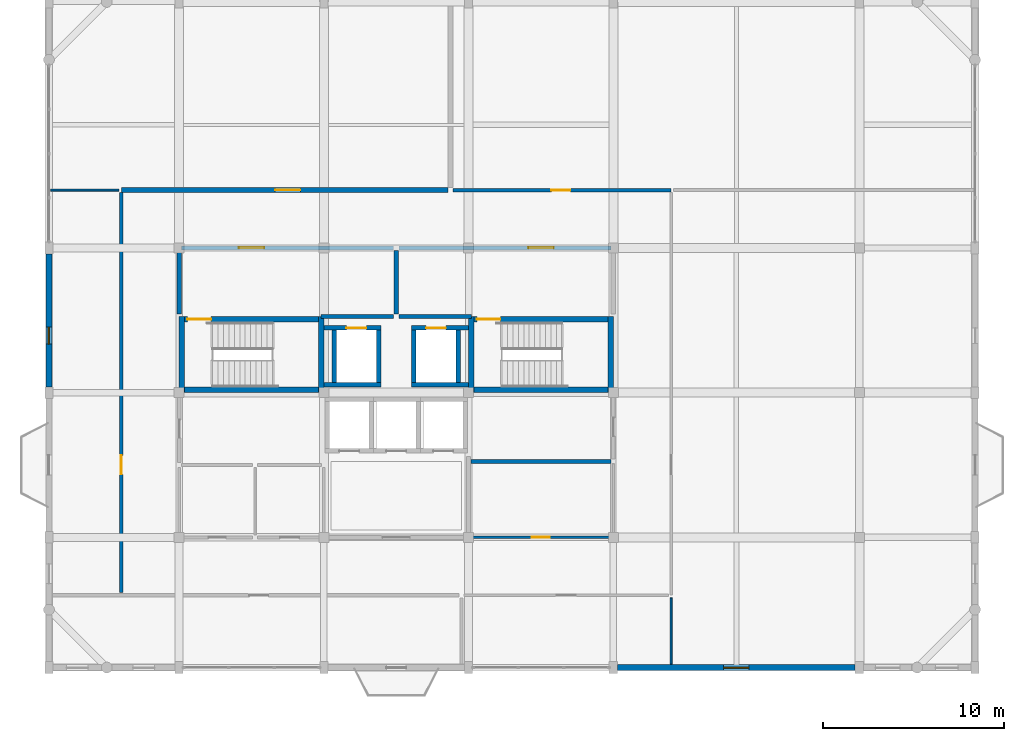
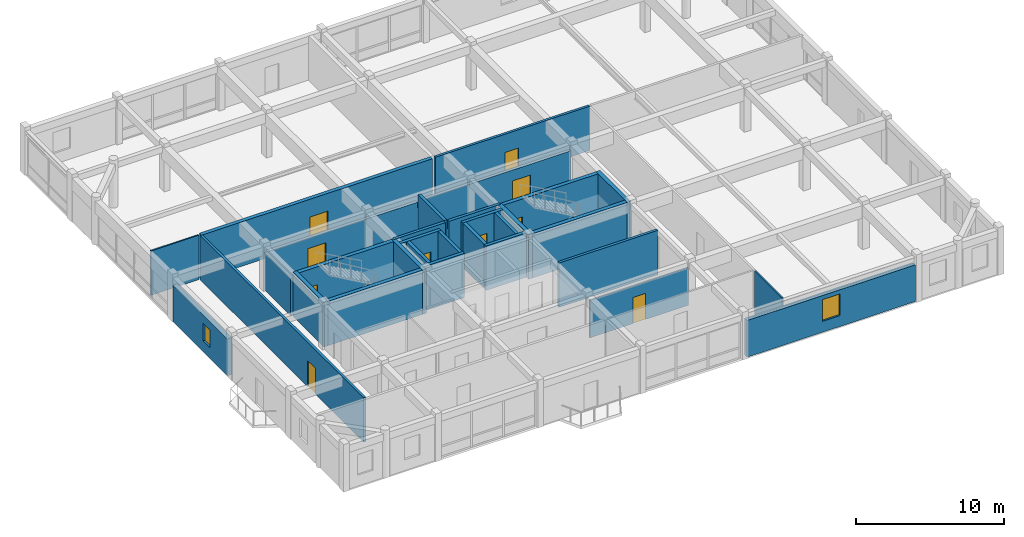
# One storey, part 10 of 13: 31 walls, 10 doors, 2 windows, 12 openings.
"""IFC4 building model written with IfcOpenShell, lengths in metres."""

from ifc_helpers import new_model, si_unit, direction, frame, frame_2d, origin, place, context, subcontext, project, spatial, rectangle, extrude, material, layer, layer_set, type_object, element, fill, save


model = new_model("IFC4")

# Units and contexts
model_context = context("Model", 3, precision=1e-05, world=origin(), true_north=direction((0.0, 1.0)))
body_context = subcontext(model_context, "Body", "Model", "MODEL_VIEW")
ifc_project = project(units=[si_unit("LENGTHUNIT", "METRE"), si_unit("AREAUNIT", "SQUARE_METRE"), si_unit("VOLUMEUNIT", "CUBIC_METRE"), si_unit("PLANEANGLEUNIT", "RADIAN"), si_unit("MASSUNIT", "GRAM", prefix="KILO")], contexts=[model_context])

# Site, building, storey
site_placement = place(None, origin())
site = spatial("IfcSite", under=ifc_project, at=site_placement, CompositionType="ELEMENT")
building_placement = place(site_placement, origin())
building = spatial("IfcBuilding", under=site, at=building_placement, Name="Vellmiral Cinema and Media Centre", CompositionType="ELEMENT")
storey_placement = place(building_placement, frame((0.0, 0.0, 58.699951171875)))
storey = spatial("IfcBuildingStorey", under=building, at=storey_placement, Name="L14", CompositionType="ELEMENT", Elevation=58.699951171875)

# Wall, opening, door
ifc_material_1 = material(Name="Calcium-Silicate Masonry Blockwork", Category="masonry")
ifc_layer_1 = layer(ifc_material_1, 0.10009765625, Name="Calcium-Silicate Masonry Blockwork", Category="masonry")
ifc_material_2 = material(Name="Mineral Wool Acoustic Insulation", Category="insulation")
ifc_layer_2 = layer(ifc_material_2, 0.090087890625, Name="Mineral Wool Acoustic Insulation", Category="insulation")
ifc_layer_3 = layer(ifc_material_1, 0.10009765625, Name="Calcium-Silicate Masonry Blockwork", Category="masonry")
ifc_layer_set_1 = layer_set([ifc_layer_1, ifc_layer_2, ifc_layer_3], Name="Calcium-Silicate Masonry Blockwork")
wall_type_1 = type_object("IfcWallType", Name="WL-AC-290", PredefinedType="SOLIDWALL", material=ifc_layer_set_1)
wall_1_placement = place(storey_placement, frame((120.800048828125, 98.39990234375, 0.0), z_axis=(0.0, 0.0, 1.0), x_axis=(1.0, 0.0, 0.0)))
wall_1 = element("IfcWall", 1, at=wall_1_placement, inside=storey, type_object=wall_type_1, Name="Executive Documentary Screening Room Wall S", PredefinedType="SOLIDWALL", context=body_context, shape_type="SweptSolid", body=[
    extrude(rectangle(XDim=18.06005859375, YDim=0.2900390625, at=frame_2d((9.030029296875, 0.0))), origin(), (0.0, 0.0, 1.0), 3.670166015625),
])
opening_1_placement = place(wall_1_placement, frame((8.5, 0.0, 0.0)))
opening_1 = element("IfcOpeningElement", 2, at=opening_1_placement, cuts=wall_1, Name="Opening D-AC4", PredefinedType="OPENING", context=body_context, shape_type="SweptSolid", body=[
    extrude(rectangle(XDim=1.39990234375, YDim=2.199951171875, at=frame_2d((0.699951171875, 1.10009765625))), frame((0.0, 0.156982421875, 0.0), z_axis=(0.0, -1.0, 0.0), x_axis=(1.0, 0.0, 0.0)), (0.0, 0.0, 1.0), 0.31396484375),
])
ifc_material_3 = material(Name="Acoustic Studio Door", Category="steel")
door_type_1 = type_object("IfcDoorType", Name="DR-AC-1400x2200", OperationType="NOTDEFINED", PredefinedType="DOOR", material=ifc_material_3)
door_1_placement = place(opening_1_placement, frame((1.39990234375, 0.0, 0.0), z_axis=(0.0, 0.0, 1.0), x_axis=(-1.0, 0.0, 0.0)))
door_1 = element("IfcDoor", 3, at=door_1_placement, inside=storey, type_object=door_type_1, Name="Executive Documentary Screening Room Door", OperationType="SINGLE_SWING_LEFT", OverallHeight=2.199951171875, OverallWidth=1.39990234375, PredefinedType="DOOR", context=body_context, shape_type="SweptSolid", body=[
    extrude(rectangle(XDim=1.39990234375, YDim=2.199951171875, at=frame_2d((0.699951171875, 1.10009765625))), frame((0.0, 0.02490234375, 0.0), z_axis=(0.0, -1.0, 0.0), x_axis=(1.0, 0.0, 0.0)), (0.0, 0.0, 1.0), 0.050048828125),
])
fill(opening_1, door_1)

# Walls
ifc_material_4 = material(Name="Concrete C40/50", Category="concrete")
ifc_layer_4 = layer(ifc_material_4, 0.2099609375, Name="Concrete C40/50")
ifc_layer_set_2 = layer_set([ifc_layer_4], Name="Concrete C40/50")
wall_type_2 = type_object("IfcWallType", Name="WL-COMP-210", PredefinedType="SOLIDWALL", material=ifc_layer_set_2)
wall_2_placement = place(storey_placement, frame((140.139892578125, 83.39990234375, 0.0), z_axis=(0.0, 0.0, 1.0), x_axis=(1.0, 0.0, 0.0)))
element("IfcWall", 4, at=wall_2_placement, inside=storey, type_object=wall_type_2, Name="Mechanical Smoke Riser Room Wall S", PredefinedType="SOLIDWALL", context=body_context, shape_type="SweptSolid", body=[
    extrude(rectangle(XDim=7.72021484375, YDim=0.2099609375, at=frame_2d((3.860107421875, 0.0))), origin(), (0.0, 0.0, 1.0), 3.670166015625),
])
ifc_material_5 = material(Name="Concrete C40/50", Category="concrete")
ifc_layer_5 = layer(ifc_material_5, 0.300048828125, Name="Concrete C40/50")
ifc_layer_set_3 = layer_set([ifc_layer_5], Name="Concrete C40/50")
wall_type_3 = type_object("IfcWallType", Name="WL-CORE-300", PredefinedType="SHEAR", material=ifc_layer_set_3)
for number, where, z_axis, x_axis, name in (
    (5, (124.14990234375, 87.199951171875, 0.0), (0.0, 0.0, 1.0), (0.0, 1.0, 0.0), "Stair Core Wall ST-T1 L14-W"),
    (6, (131.85009765625, 87.199951171875, 0.0), (0.0, 0.0, 1.0), (0.0, 1.0, 0.0), "Stair Core Wall ST-T1 L14-E"),
):
    element("IfcWall", number, at=place(storey_placement, frame(where, z_axis=z_axis, x_axis=x_axis)), inside=storey, type_object=wall_type_3, Name=name, PredefinedType="SHEAR", context=body_context, shape_type="SweptSolid", body=[
        extrude(rectangle(XDim=4.199951171875, YDim=0.300048828125, at=frame_2d((2.10009765625, 0.0))), origin(), (0.0, 0.0, 1.0), 3.670166015625),
    ])
wall_3_placement = place(storey_placement, frame((124.300048828125, 87.35009765625, 0.0), z_axis=(0.0, 0.0, 1.0), x_axis=(1.0, 0.0, 0.0)))
element("IfcWall", 7, at=wall_3_placement, inside=storey, type_object=wall_type_3, Name="Stair Core Wall ST-T1 L14-S", PredefinedType="SHEAR", context=body_context, shape_type="SweptSolid", body=[
    extrude(rectangle(XDim=7.39990234375, YDim=0.300048828125, at=frame_2d((3.699951171875, 0.0))), origin(), (0.0, 0.0, 1.0), 3.670166015625),
])

# Wall, opening, door
wall_4_placement = place(storey_placement, frame((124.300048828125, 91.25, 0.0), z_axis=(0.0, 0.0, 1.0), x_axis=(1.0, 0.0, 0.0)))
wall_4 = element("IfcWall", 8, at=wall_4_placement, inside=storey, type_object=wall_type_3, Name="Stair Core Wall ST-T1 L14-N", PredefinedType="SHEAR", context=body_context, shape_type="SweptSolid", body=[
    extrude(rectangle(XDim=7.39990234375, YDim=0.300048828125, at=frame_2d((3.699951171875, 0.0))), origin(), (0.0, 0.0, 1.0), 3.670166015625),
])
opening_2_placement = place(wall_4_placement, frame((0.159912109375, 0.0, 0.0)))
opening_2 = element("IfcOpeningElement", 9, at=opening_2_placement, cuts=wall_4, Name="Opening D-FD30A", PredefinedType="OPENING", context=body_context, shape_type="SweptSolid", body=[
    extrude(rectangle(XDim=1.300048828125, YDim=2.179931640625, at=frame_2d((0.64990234375, 1.08984375))), frame((0.0, 0.162109375, 0.0), z_axis=(0.0, -1.0, 0.0), x_axis=(1.0, 0.0, 0.0)), (0.0, 0.0, 1.0), 0.323974609375),
])
ifc_material_6 = material(Name="Steel Stair Fire Door", Category="steel")
door_type_2 = type_object("IfcDoorType", Name="DR-FD30-1300x2180", OperationType="NOTDEFINED", PredefinedType="DOOR", material=ifc_material_6)
door_2_placement = place(opening_2_placement, frame((1.300048828125, 0.0, 0.0), z_axis=(0.0, 0.0, 1.0), x_axis=(-1.0, 0.0, 0.0)))
door_2 = element("IfcDoor", 10, at=door_2_placement, inside=storey, type_object=door_type_2, Name="Protected Stair Door ST-T1 L14", OperationType="SINGLE_SWING_RIGHT", OverallHeight=2.179931640625, OverallWidth=1.300048828125, PredefinedType="DOOR", context=body_context, shape_type="SweptSolid", body=[
    extrude(rectangle(XDim=1.300048828125, YDim=2.179931640625, at=frame_2d((0.64990234375, 1.08984375))), frame((0.0, 0.02490234375, 0.0), z_axis=(0.0, -1.0, 0.0), x_axis=(1.0, 0.0, 0.0)), (0.0, 0.0, 1.0), 0.050048828125),
])
fill(opening_2, door_2)

# Walls
for number, where, z_axis, x_axis, name in (
    (11, (140.14990234375, 87.199951171875, 0.0), (0.0, 0.0, 1.0), (0.0, 1.0, 0.0), "Stair Core Wall ST-T2 L14-W"),
    (12, (147.85009765625, 87.199951171875, 0.0), (0.0, 0.0, 1.0), (0.0, 1.0, 0.0), "Stair Core Wall ST-T2 L14-E"),
):
    element("IfcWall", number, at=place(storey_placement, frame(where, z_axis=z_axis, x_axis=x_axis)), inside=storey, type_object=wall_type_3, Name=name, PredefinedType="SHEAR", context=body_context, shape_type="SweptSolid", body=[
        extrude(rectangle(XDim=4.199951171875, YDim=0.300048828125, at=frame_2d((2.10009765625, 0.0))), origin(), (0.0, 0.0, 1.0), 3.670166015625),
    ])
wall_5_placement = place(storey_placement, frame((140.300048828125, 87.35009765625, 0.0), z_axis=(0.0, 0.0, 1.0), x_axis=(1.0, 0.0, 0.0)))
element("IfcWall", 13, at=wall_5_placement, inside=storey, type_object=wall_type_3, Name="Stair Core Wall ST-T2 L14-S", PredefinedType="SHEAR", context=body_context, shape_type="SweptSolid", body=[
    extrude(rectangle(XDim=7.39990234375, YDim=0.300048828125, at=frame_2d((3.699951171875, 0.0))), origin(), (0.0, 0.0, 1.0), 3.670166015625),
])

# Wall, opening, door
wall_6_placement = place(storey_placement, frame((140.300048828125, 91.25, 0.0), z_axis=(0.0, 0.0, 1.0), x_axis=(1.0, 0.0, 0.0)))
wall_6 = element("IfcWall", 14, at=wall_6_placement, inside=storey, type_object=wall_type_3, Name="Stair Core Wall ST-T2 L14-N", PredefinedType="SHEAR", context=body_context, shape_type="SweptSolid", body=[
    extrude(rectangle(XDim=7.39990234375, YDim=0.300048828125, at=frame_2d((3.699951171875, 0.0))), origin(), (0.0, 0.0, 1.0), 3.670166015625),
])
opening_3_placement = place(wall_6_placement, frame((0.159912109375, 0.0, 0.0)))
opening_3 = element("IfcOpeningElement", 15, at=opening_3_placement, cuts=wall_6, Name="Opening D-FD30A", PredefinedType="OPENING", context=body_context, shape_type="SweptSolid", body=[
    extrude(rectangle(XDim=1.300048828125, YDim=2.179931640625, at=frame_2d((0.64990234375, 1.08984375))), frame((0.0, 0.162109375, 0.0), z_axis=(0.0, -1.0, 0.0), x_axis=(1.0, 0.0, 0.0)), (0.0, 0.0, 1.0), 0.323974609375),
])
door_3_placement = place(opening_3_placement, frame((1.300048828125, 0.0, 0.0), z_axis=(0.0, 0.0, 1.0), x_axis=(-1.0, 0.0, 0.0)))
door_3 = element("IfcDoor", 16, at=door_3_placement, inside=storey, type_object=door_type_2, Name="Protected Stair Door ST-T2 L14", OperationType="SINGLE_SWING_RIGHT", OverallHeight=2.179931640625, OverallWidth=1.300048828125, PredefinedType="DOOR", context=body_context, shape_type="SweptSolid", body=[
    extrude(rectangle(XDim=1.300048828125, YDim=2.179931640625, at=frame_2d((0.64990234375, 1.08984375))), frame((0.0, 0.02490234375, 0.0), z_axis=(0.0, -1.0, 0.0), x_axis=(1.0, 0.0, 0.0)), (0.0, 0.0, 1.0), 0.050048828125),
])
fill(opening_3, door_3)

# Wall, opening, window
ifc_material_7 = material(Name="Vosges Red Sandstone Masonry", Category="masonry")
ifc_layer_6 = layer(ifc_material_7, 0.340087890625, Name="Vosges Red Sandstone Masonry")
ifc_layer_set_4 = layer_set([ifc_layer_6], Name="Vosges Red Sandstone Masonry")
wall_type_4 = type_object("IfcWallType", Name="WL-EXT-SAND-340", PredefinedType="SOLIDWALL", material=ifc_layer_set_4)
wall_7_placement = place(storey_placement, frame((148.22509765625, 72.0, 0.0), z_axis=(0.0, 0.0, 1.0), x_axis=(1.0, 0.0, 0.0)))
wall_7 = element("IfcWall", 17, at=wall_7_placement, inside=storey, type_object=wall_type_4, Name="Exterior Facade Wall L14-006", PredefinedType="SOLIDWALL", context=body_context, shape_type="SweptSolid", body=[
    extrude(rectangle(XDim=13.14990234375, YDim=0.340087890625, at=frame_2d((6.574951171875, 0.0))), origin(), (0.0, 0.0, 1.0), 3.03515625),
])
opening_4_placement = place(wall_7_placement, frame((5.875, 0.0, 0.89990234375)))
opening_4 = element("IfcOpeningElement", 18, at=opening_4_placement, cuts=wall_7, Name="Opening WN-07", PredefinedType="OPENING", context=body_context, shape_type="SweptSolid", body=[
    extrude(rectangle(XDim=1.39990234375, YDim=1.800048828125, at=frame_2d((0.699951171875, 0.89990234375))), frame((0.0, 0.18212890625, 0.0), z_axis=(0.0, -1.0, 0.0), x_axis=(1.0, 0.0, 0.0)), (0.0, 0.0, 1.0), 0.364013671875),
])
ifc_material_8 = material(Name="Thermally Broken Aluminium Triple Glazing", Category="aluminium")
window_type_1 = type_object("IfcWindowType", Name="WN-1400x1800", PartitioningType="SINGLE_PANEL", PredefinedType="WINDOW", material=ifc_material_8)
window_1_placement = place(opening_4_placement, origin())
window_1 = element("IfcWindow", 19, at=window_1_placement, inside=storey, type_object=window_type_1, Name="Window L14-006", OverallHeight=1.800048828125, OverallWidth=1.39990234375, PartitioningType="SINGLE_PANEL", PredefinedType="WINDOW", context=body_context, shape_type="SweptSolid", body=[
    extrude(rectangle(XDim=1.39990234375, YDim=1.800048828125, at=frame_2d((0.699951171875, 0.89990234375))), frame((0.0, 0.030029296875, 0.0), z_axis=(0.0, -1.0, 0.0), x_axis=(1.0, 0.0, 0.0)), (0.0, 0.0, 1.0), 0.06005859375),
])
fill(opening_4, window_1)

wall_8_placement = place(storey_placement, frame((116.800048828125, 94.875, 0.0), z_axis=(0.0, 0.0, 1.0), x_axis=(0.0, -1.0, 0.0)))
wall_8 = element("IfcWall", 20, at=wall_8_placement, inside=storey, type_object=wall_type_4, Name="Exterior Facade Wall L14-026", PredefinedType="SOLIDWALL", context=body_context, shape_type="SweptSolid", body=[
    extrude(rectangle(XDim=7.35009765625, YDim=0.340087890625, at=frame_2d((3.675048828125, 0.0))), origin(), (0.0, 0.0, 1.0), 3.050048828125),
])
opening_5_placement = place(wall_8_placement, frame((4.050048828125, 0.0, 0.89990234375)))
opening_5 = element("IfcOpeningElement", 21, at=opening_5_placement, cuts=wall_8, Name="Opening WN-12", PredefinedType="OPENING", context=body_context, shape_type="SweptSolid", body=[
    extrude(rectangle(XDim=0.949951171875, YDim=1.449951171875, at=frame_2d((0.47509765625, 0.72509765625))), frame((0.0, 0.18212890625, 0.0), z_axis=(0.0, -1.0, 0.0), x_axis=(1.0, 0.0, 0.0)), (0.0, 0.0, 1.0), 0.364013671875),
])
ifc_material_9 = material(Name="Thermally Broken Aluminium Triple Glazing", Category="aluminium")
window_type_2 = type_object("IfcWindowType", Name="WN-0950x1450", PartitioningType="SINGLE_PANEL", PredefinedType="WINDOW", material=ifc_material_9)
window_2_placement = place(opening_5_placement, origin())
window_2 = element("IfcWindow", 22, at=window_2_placement, inside=storey, type_object=window_type_2, Name="Window L14-026", OverallHeight=1.449951171875, OverallWidth=0.949951171875, PartitioningType="SINGLE_PANEL", PredefinedType="WINDOW", context=body_context, shape_type="SweptSolid", body=[
    extrude(rectangle(XDim=0.949951171875, YDim=1.449951171875, at=frame_2d((0.47509765625, 0.72509765625))), frame((0.0, 0.030029296875, 0.0), z_axis=(0.0, -1.0, 0.0), x_axis=(1.0, 0.0, 0.0)), (0.0, 0.0, 1.0), 0.06005859375),
])
fill(opening_5, window_2)

# Wall
ifc_material_10 = material(Name="Concrete C40/50", Category="concrete")
ifc_layer_7 = layer(ifc_material_10, 0.22998046875, Name="Concrete C40/50")
ifc_layer_set_5 = layer_set([ifc_layer_7], Name="Concrete C40/50")
wall_type_5 = type_object("IfcWallType", Name="WL-FFL-230", PredefinedType="SOLIDWALL", material=ifc_layer_set_5)
wall_9_placement = place(storey_placement, frame((131.840087890625, 91.39990234375, 0.0), z_axis=(0.0, 0.0, 1.0), x_axis=(1.0, 0.0, 0.0)))
element("IfcWall", 23, at=wall_9_placement, inside=storey, type_object=wall_type_5, Name="Firefighting Lobby West Wall S", PredefinedType="SOLIDWALL", context=body_context, shape_type="SweptSolid", body=[
    extrude(rectangle(XDim=4.02001953125, YDim=0.22998046875, at=frame_2d((2.010009765625, 0.0))), origin(), (0.0, 0.0, 1.0), 3.670166015625),
])

# Wall, opening, door
wall_10_placement = place(storey_placement, frame((124.139892578125, 95.199951171875, 0.0), z_axis=(0.0, 0.0, 1.0), x_axis=(1.0, 0.0, 0.0)))
wall_10 = element("IfcWall", 24, at=wall_10_placement, inside=storey, type_object=wall_type_5, Name="Firefighting Lobby West Wall N", PredefinedType="SOLIDWALL", context=body_context, shape_type="SweptSolid", body=[
    extrude(rectangle(XDim=11.72021484375, YDim=0.22998046875, at=frame_2d((5.860107421875, 0.0))), origin(), (0.0, 0.0, 1.0), 3.045166015625),
])
opening_6_placement = place(wall_10_placement, frame((3.159912109375, 0.0, 0.0)))
opening_6 = element("IfcOpeningElement", 25, at=opening_6_placement, cuts=wall_10, Name="Opening D-FD60B", PredefinedType="OPENING", context=body_context, shape_type="SweptSolid", body=[
    extrude(rectangle(XDim=1.39990234375, YDim=2.199951171875, at=frame_2d((0.699951171875, 1.10009765625))), frame((0.0, 0.126953125, 0.0), z_axis=(0.0, -1.0, 0.0), x_axis=(1.0, 0.0, 0.0)), (0.0, 0.0, 1.0), 0.25390625),
])
ifc_material_11 = material(Name="Steel Fire Door", Category="steel")
door_type_3 = type_object("IfcDoorType", Name="DR-FD60-1400x2200", OperationType="NOTDEFINED", PredefinedType="DOOR", material=ifc_material_11)
door_4_placement = place(opening_6_placement, frame((1.39990234375, 0.0, 0.0), z_axis=(0.0, 0.0, 1.0), x_axis=(-1.0, 0.0, 0.0)))
door_4 = element("IfcDoor", 26, at=door_4_placement, inside=storey, type_object=door_type_3, Name="Firefighting Lobby West Door", OperationType="SINGLE_SWING_RIGHT", OverallHeight=2.199951171875, OverallWidth=1.39990234375, PredefinedType="DOOR", context=body_context, shape_type="SweptSolid", body=[
    extrude(rectangle(XDim=1.39990234375, YDim=2.199951171875, at=frame_2d((0.699951171875, 1.10009765625))), frame((0.0, 0.02490234375, 0.0), z_axis=(0.0, -1.0, 0.0), x_axis=(1.0, 0.0, 0.0)), (0.0, 0.0, 1.0), 0.050048828125),
])
fill(opening_6, door_4)

# Walls
wall_11_placement = place(storey_placement, frame((124.0, 91.5400390625, 0.0), z_axis=(0.0, 0.0, 1.0), x_axis=(0.0, 1.0, 0.0)))
element("IfcWall", 27, at=wall_11_placement, inside=storey, type_object=wall_type_5, Name="Firefighting Lobby West Wall W", PredefinedType="SOLIDWALL", context=body_context, shape_type="SweptSolid", body=[
    extrude(rectangle(XDim=3.52001953125, YDim=0.22998046875, at=frame_2d((1.760009765625, 0.0))), origin(), (0.0, 0.0, 1.0), 3.094970703125),
])
wall_12_placement = place(storey_placement, frame((136.0, 91.5400390625, 0.0), z_axis=(0.0, 0.0, 1.0), x_axis=(0.0, 1.0, 0.0)))
element("IfcWall", 28, at=wall_12_placement, inside=storey, type_object=wall_type_5, Name="Firefighting Lobby West Wall E", PredefinedType="SOLIDWALL", context=body_context, shape_type="SweptSolid", body=[
    extrude(rectangle(XDim=3.52001953125, YDim=0.22998046875, at=frame_2d((1.760009765625, 0.0))), origin(), (0.0, 0.0, 1.0), 3.670166015625),
])
wall_13_placement = place(storey_placement, frame((136.139892578125, 91.39990234375, 0.0), z_axis=(0.0, 0.0, 1.0), x_axis=(1.0, 0.0, 0.0)))
element("IfcWall", 29, at=wall_13_placement, inside=storey, type_object=wall_type_5, Name="Firefighting Lobby East Wall S", PredefinedType="SOLIDWALL", context=body_context, shape_type="SweptSolid", body=[
    extrude(rectangle(XDim=4.02001953125, YDim=0.22998046875, at=frame_2d((2.010009765625, 0.0))), origin(), (0.0, 0.0, 1.0), 3.670166015625),
])

# Wall, opening, door
wall_14_placement = place(storey_placement, frame((136.139892578125, 95.199951171875, 0.0), z_axis=(0.0, 0.0, 1.0), x_axis=(1.0, 0.0, 0.0)))
wall_14 = element("IfcWall", 30, at=wall_14_placement, inside=storey, type_object=wall_type_5, Name="Firefighting Lobby East Wall N", PredefinedType="SOLIDWALL", context=body_context, shape_type="SweptSolid", body=[
    extrude(rectangle(XDim=11.72021484375, YDim=0.22998046875, at=frame_2d((5.860107421875, 0.0))), origin(), (0.0, 0.0, 1.0), 3.094970703125),
])
opening_7_placement = place(wall_14_placement, frame((7.159912109375, 0.0, 0.0)))
opening_7 = element("IfcOpeningElement", 31, at=opening_7_placement, cuts=wall_14, Name="Opening D-FD60B", PredefinedType="OPENING", context=body_context, shape_type="SweptSolid", body=[
    extrude(rectangle(XDim=1.39990234375, YDim=2.199951171875, at=frame_2d((0.699951171875, 1.10009765625))), frame((0.0, 0.126953125, 0.0), z_axis=(0.0, -1.0, 0.0), x_axis=(1.0, 0.0, 0.0)), (0.0, 0.0, 1.0), 0.25390625),
])
door_5_placement = place(opening_7_placement, frame((1.39990234375, 0.0, 0.0), z_axis=(0.0, 0.0, 1.0), x_axis=(-1.0, 0.0, 0.0)))
door_5 = element("IfcDoor", 32, at=door_5_placement, inside=storey, type_object=door_type_3, Name="Firefighting Lobby East Door", OperationType="SINGLE_SWING_LEFT", OverallHeight=2.199951171875, OverallWidth=1.39990234375, PredefinedType="DOOR", context=body_context, shape_type="SweptSolid", body=[
    extrude(rectangle(XDim=1.39990234375, YDim=2.199951171875, at=frame_2d((0.699951171875, 1.10009765625))), frame((0.0, 0.02490234375, 0.0), z_axis=(0.0, -1.0, 0.0), x_axis=(1.0, 0.0, 0.0)), (0.0, 0.0, 1.0), 0.050048828125),
])
fill(opening_7, door_5)

# Walls
ifc_material_12 = material(Name="Gypsum Plasterboard")
ifc_layer_8 = layer(ifc_material_12, 0.02490234375, Name="Gypsum Plasterboard", Category="gypsum")
ifc_material_13 = material(Name="Mineral Wool Acoustic Insulation", Category="insulation")
ifc_layer_9 = layer(ifc_material_13, 0.06005859375, Name="Mineral Wool Acoustic Insulation", Category="insulation")
ifc_layer_10 = layer(ifc_material_12, 0.02490234375, Name="Gypsum Plasterboard", Category="gypsum")
ifc_layer_set_6 = layer_set([ifc_layer_8, ifc_layer_9, ifc_layer_10], Name="Gypsum Plasterboard")
wall_type_6 = type_object("IfcWallType", Name="WL-PART-110", PredefinedType="PARTITIONING", material=ifc_layer_set_6)
wall_15_placement = place(storey_placement, frame((151.199951171875, 72.18505859375, 0.0), z_axis=(0.0, 0.0, 1.0), x_axis=(0.0, 1.0, 0.0)))
element("IfcWall", 33, at=wall_15_placement, inside=storey, type_object=wall_type_6, Name="South Executive Counsel Suite Wall E", PredefinedType="PARTITIONING", context=body_context, shape_type="SweptSolid", body=[
    extrude(rectangle(XDim=3.675048828125, YDim=0.110107421875, at=frame_2d((1.83740234375, 0.0))), origin(), (0.0, 0.0, 1.0), 3.670166015625),
])
wall_16_placement = place(storey_placement, frame((116.89501953125, 98.39990234375, 0.0), z_axis=(0.0, 0.0, 1.0), x_axis=(1.0, 0.0, 0.0)))
element("IfcWall", 34, at=wall_16_placement, inside=storey, type_object=wall_type_6, Name="West Executive Mirador Office Wall N", PredefinedType="PARTITIONING", context=body_context, shape_type="SweptSolid", body=[
    extrude(rectangle(XDim=3.764892578125, YDim=0.110107421875, at=frame_2d((1.88232421875, 0.0))), origin(), (0.0, 0.0, 1.0), 3.670166015625),
])

# Wall, opening, door
ifc_material_14 = material(Name="Gypsum Plasterboard")
ifc_layer_11 = layer(ifc_material_14, 0.02490234375, Name="Gypsum Plasterboard", Category="gypsum")
ifc_material_15 = material(Name="Mineral Wool Acoustic Insulation", Category="insulation")
ifc_layer_12 = layer(ifc_material_15, 0.080078125, Name="Mineral Wool Acoustic Insulation", Category="insulation")
ifc_layer_13 = layer(ifc_material_14, 0.02490234375, Name="Gypsum Plasterboard", Category="gypsum")
ifc_layer_set_7 = layer_set([ifc_layer_11, ifc_layer_12, ifc_layer_13], Name="Gypsum Plasterboard")
wall_type_7 = type_object("IfcWallType", Name="WL-PART-130", PredefinedType="PARTITIONING", material=ifc_layer_set_7)
wall_17_placement = place(storey_placement, frame((140.139892578125, 79.199951171875, 0.0), z_axis=(0.0, 0.0, 1.0), x_axis=(1.0, 0.0, 0.0)))
wall_17 = element("IfcWall", 35, at=wall_17_placement, inside=storey, type_object=wall_type_7, Name="Cleaner and Media Supply Store Wall S", PredefinedType="PARTITIONING", context=body_context, shape_type="SweptSolid", body=[
    extrude(rectangle(XDim=7.72021484375, YDim=0.1298828125, at=frame_2d((3.860107421875, 0.0))), origin(), (0.0, 0.0, 1.0), 3.094970703125),
])
opening_8_placement = place(wall_17_placement, frame((3.360107421875, 0.0, 0.0)))
opening_8 = element("IfcOpeningElement", 36, at=opening_8_placement, cuts=wall_17, Name="Opening D-I08", PredefinedType="OPENING", context=body_context, shape_type="SweptSolid", body=[
    extrude(rectangle(XDim=1.0, YDim=2.14990234375, at=frame_2d((0.5, 1.074951171875))), frame((0.0, 0.076904296875, 0.0), z_axis=(0.0, -1.0, 0.0), x_axis=(1.0, 0.0, 0.0)), (0.0, 0.0, 1.0), 0.15380859375),
])
ifc_material_16 = material(Name="Laminated Timber Door", Category="wood")
door_type_4 = type_object("IfcDoorType", Name="DR-INT-1000x2150", OperationType="NOTDEFINED", PredefinedType="DOOR", material=ifc_material_16)
door_6_placement = place(opening_8_placement, origin())
door_6 = element("IfcDoor", 37, at=door_6_placement, inside=storey, type_object=door_type_4, Name="Cleaner and Media Supply Store Door", OperationType="SINGLE_SWING_RIGHT", OverallHeight=2.14990234375, OverallWidth=1.0, PredefinedType="DOOR", context=body_context, shape_type="SweptSolid", body=[
    extrude(rectangle(XDim=1.0, YDim=2.14990234375, at=frame_2d((0.5, 1.074951171875))), frame((0.0, 0.02490234375, 0.0), z_axis=(0.0, -1.0, 0.0), x_axis=(1.0, 0.0, 0.0)), (0.0, 0.0, 1.0), 0.050048828125),
])
fill(opening_8, door_6)

ifc_material_17 = material(Name="Gypsum Plasterboard")
ifc_layer_14 = layer(ifc_material_17, 0.02490234375, Name="Gypsum Plasterboard", Category="gypsum")
ifc_material_18 = material(Name="Mineral Wool Acoustic Insulation", Category="insulation")
ifc_layer_15 = layer(ifc_material_18, 0.139892578125, Name="Mineral Wool Acoustic Insulation", Category="insulation")
ifc_layer_16 = layer(ifc_material_17, 0.02490234375, Name="Gypsum Plasterboard", Category="gypsum")
ifc_layer_set_8 = layer_set([ifc_layer_14, ifc_layer_15, ifc_layer_16], Name="Gypsum Plasterboard")
wall_type_8 = type_object("IfcWallType", Name="WL-PART-190", PredefinedType="PARTITIONING", material=ifc_layer_set_8)
wall_18_placement = place(storey_placement, frame((120.800048828125, 76.139892578125, 0.0), z_axis=(0.0, 0.0, 1.0), x_axis=(0.0, 1.0, 0.0)))
wall_18 = element("IfcWall", 38, at=wall_18_placement, inside=storey, type_object=wall_type_8, Name="West Executive Mirador Office Wall E", PredefinedType="PARTITIONING", context=body_context, shape_type="SweptSolid", body=[
    extrude(rectangle(XDim=22.1201171875, YDim=0.18994140625, at=frame_2d((11.06005859375, 0.0))), origin(), (0.0, 0.0, 1.0), 3.670166015625),
])
opening_9_placement = place(wall_18_placement, frame((6.534912109375, 0.0, 0.0)))
opening_9 = element("IfcOpeningElement", 39, at=opening_9_placement, cuts=wall_18, Name="Opening D-I07", PredefinedType="OPENING", context=body_context, shape_type="SweptSolid", body=[
    extrude(rectangle(XDim=1.050048828125, YDim=2.14990234375, at=frame_2d((0.52490234375, 1.074951171875))), frame((0.0, 0.10693359375, 0.0), z_axis=(0.0, -1.0, 0.0), x_axis=(1.0, 0.0, 0.0)), (0.0, 0.0, 1.0), 0.2138671875),
])
ifc_material_19 = material(Name="Laminated Timber Door", Category="wood")
door_type_5 = type_object("IfcDoorType", Name="DR-INT-1050x2150", OperationType="NOTDEFINED", PredefinedType="DOOR", material=ifc_material_19)
door_7_placement = place(opening_9_placement, origin())
door_7 = element("IfcDoor", 40, at=door_7_placement, inside=storey, type_object=door_type_5, Name="West Executive Mirador Office Door", OperationType="SINGLE_SWING_LEFT", OverallHeight=2.14990234375, OverallWidth=1.050048828125, PredefinedType="DOOR", context=body_context, shape_type="SweptSolid", body=[
    extrude(rectangle(XDim=1.050048828125, YDim=2.14990234375, at=frame_2d((0.52490234375, 1.074951171875))), frame((0.0, 0.02490234375, 0.0), z_axis=(0.0, -1.0, 0.0), x_axis=(1.0, 0.0, 0.0)), (0.0, 0.0, 1.0), 0.050048828125),
])
fill(opening_9, door_7)

wall_19_placement = place(storey_placement, frame((139.139892578125, 98.39990234375, 0.0), z_axis=(0.0, 0.0, 1.0), x_axis=(1.0, 0.0, 0.0)))
wall_19 = element("IfcWall", 41, at=wall_19_placement, inside=storey, type_object=wall_type_8, Name="Executive Media Editorial Suite Wall S", PredefinedType="PARTITIONING", context=body_context, shape_type="SweptSolid", body=[
    extrude(rectangle(XDim=12.06005859375, YDim=0.18994140625, at=frame_2d((6.030029296875, 0.0))), origin(), (0.0, 0.0, 1.0), 3.670166015625),
])
opening_10_placement = place(wall_19_placement, frame((5.43505859375, 0.0, 0.0)))
opening_10 = element("IfcOpeningElement", 42, at=opening_10_placement, cuts=wall_19, Name="Opening D-I07", PredefinedType="OPENING", context=body_context, shape_type="SweptSolid", body=[
    extrude(rectangle(XDim=1.050048828125, YDim=2.14990234375, at=frame_2d((0.52490234375, 1.074951171875))), frame((0.0, 0.10693359375, 0.0), z_axis=(0.0, -1.0, 0.0), x_axis=(1.0, 0.0, 0.0)), (0.0, 0.0, 1.0), 0.2138671875),
])
door_8_placement = place(opening_10_placement, origin())
door_8 = element("IfcDoor", 43, at=door_8_placement, inside=storey, type_object=door_type_5, Name="Executive Media Editorial Suite Door", OperationType="SINGLE_SWING_RIGHT", OverallHeight=2.14990234375, OverallWidth=1.050048828125, PredefinedType="DOOR", context=body_context, shape_type="SweptSolid", body=[
    extrude(rectangle(XDim=1.050048828125, YDim=2.14990234375, at=frame_2d((0.52490234375, 1.074951171875))), frame((0.0, 0.02490234375, 0.0), z_axis=(0.0, -1.0, 0.0), x_axis=(1.0, 0.0, 0.0)), (0.0, 0.0, 1.0), 0.050048828125),
])
fill(opening_10, door_8)

# Wall
ifc_material_20 = material(Name="Concrete C40/50", Category="concrete")
ifc_layer_17 = layer(ifc_material_20, 0.25, Name="Concrete C40/50")
ifc_layer_set_9 = layer_set([ifc_layer_17], Name="Concrete C40/50")
wall_type_9 = type_object("IfcWallType", Name="WL-SHAFT-250", PredefinedType="SHEAR", material=ifc_layer_set_9)
wall_20_placement = place(storey_placement, frame((132.0, 87.625, 0.0), z_axis=(0.0, 0.0, 1.0), x_axis=(1.0, 0.0, 0.0)))
element("IfcWall", 44, at=wall_20_placement, inside=storey, type_object=wall_type_9, Name="Lift Shaft Wall LF-FF1 L14-S", PredefinedType="SHEAR", context=body_context, shape_type="SweptSolid", body=[
    extrude(rectangle(XDim=3.14990234375, YDim=0.25, at=frame_2d((1.574951171875, 0.0))), origin(), (0.0, 0.0, 1.0), 3.670166015625),
])

# Wall, opening, door
wall_21_placement = place(storey_placement, frame((132.0, 90.77490234375, 0.0), z_axis=(0.0, 0.0, 1.0), x_axis=(1.0, 0.0, 0.0)))
wall_21 = element("IfcWall", 45, at=wall_21_placement, inside=storey, type_object=wall_type_9, Name="Lift Shaft Wall LF-FF1 L14-N", PredefinedType="SHEAR", context=body_context, shape_type="SweptSolid", body=[
    extrude(rectangle(XDim=3.14990234375, YDim=0.25, at=frame_2d((1.574951171875, 0.0))), origin(), (0.0, 0.0, 1.0), 3.670166015625),
])
opening_11_placement = place(wall_21_placement, frame((1.25, 0.0, 0.0)))
opening_11 = element("IfcOpeningElement", 46, at=opening_11_placement, cuts=wall_21, Name="Opening LD-01", PredefinedType="OPENING", context=body_context, shape_type="SweptSolid", body=[
    extrude(rectangle(XDim=1.10009765625, YDim=2.14990234375, at=frame_2d((0.550048828125, 1.074951171875))), frame((0.0, 0.136962890625, 0.0), z_axis=(0.0, -1.0, 0.0), x_axis=(1.0, 0.0, 0.0)), (0.0, 0.0, 1.0), 0.27392578125),
])
ifc_material_21 = material(Name="Stainless Steel Lift Landing Door", Category="steel")
door_type_6 = type_object("IfcDoorType", Name="DR-LIFT-1100x2150", OperationType="SLIDING_TO_LEFT", PredefinedType="DOOR", material=ifc_material_21)
door_9_placement = place(opening_11_placement, origin())
door_9 = element("IfcDoor", 47, at=door_9_placement, inside=storey, type_object=door_type_6, Name="Lift Landing Door LF-FF1 L14", OperationType="SLIDING_TO_LEFT", OverallHeight=2.14990234375, OverallWidth=1.10009765625, PredefinedType="DOOR", context=body_context, shape_type="SweptSolid", body=[
    extrude(rectangle(XDim=1.10009765625, YDim=2.14990234375, at=frame_2d((0.550048828125, 1.074951171875))), frame((0.0, 0.02490234375, 0.0), z_axis=(0.0, -1.0, 0.0), x_axis=(1.0, 0.0, 0.0)), (0.0, 0.0, 1.0), 0.050048828125),
])
fill(opening_11, door_9)

# Walls
for number, where, z_axis, x_axis, name in (
    (48, (132.574951171875, 87.75, 0.0), (0.0, 0.0, 1.0), (0.0, 1.0, 0.0), "Lift Shaft Wall LF-FF1 L14-W"),
    (49, (135.02490234375, 87.75, 0.0), (0.0, 0.0, 1.0), (0.0, 1.0, 0.0), "Lift Shaft Wall LF-FF1 L14-E"),
):
    element("IfcWall", number, at=place(storey_placement, frame(where, z_axis=z_axis, x_axis=x_axis)), inside=storey, type_object=wall_type_9, Name=name, PredefinedType="SHEAR", context=body_context, shape_type="SweptSolid", body=[
        extrude(rectangle(XDim=2.89990234375, YDim=0.25, at=frame_2d((1.449951171875, 0.0))), origin(), (0.0, 0.0, 1.0), 3.670166015625),
    ])
wall_22_placement = place(storey_placement, frame((136.85009765625, 87.625, 0.0), z_axis=(0.0, 0.0, 1.0), x_axis=(1.0, 0.0, 0.0)))
element("IfcWall", 50, at=wall_22_placement, inside=storey, type_object=wall_type_9, Name="Lift Shaft Wall LF-FF2 L14-S", PredefinedType="SHEAR", context=body_context, shape_type="SweptSolid", body=[
    extrude(rectangle(XDim=3.14990234375, YDim=0.25, at=frame_2d((1.574951171875, 0.0))), origin(), (0.0, 0.0, 1.0), 3.670166015625),
])

# Wall, opening, door
wall_23_placement = place(storey_placement, frame((136.85009765625, 90.77490234375, 0.0), z_axis=(0.0, 0.0, 1.0), x_axis=(1.0, 0.0, 0.0)))
wall_23 = element("IfcWall", 51, at=wall_23_placement, inside=storey, type_object=wall_type_9, Name="Lift Shaft Wall LF-FF2 L14-N", PredefinedType="SHEAR", context=body_context, shape_type="SweptSolid", body=[
    extrude(rectangle(XDim=3.14990234375, YDim=0.25, at=frame_2d((1.574951171875, 0.0))), origin(), (0.0, 0.0, 1.0), 3.670166015625),
])
opening_12_placement = place(wall_23_placement, frame((0.800048828125, 0.0, 0.0)))
opening_12 = element("IfcOpeningElement", 52, at=opening_12_placement, cuts=wall_23, Name="Opening LD-01", PredefinedType="OPENING", context=body_context, shape_type="SweptSolid", body=[
    extrude(rectangle(XDim=1.10009765625, YDim=2.14990234375, at=frame_2d((0.550048828125, 1.074951171875))), frame((0.0, 0.136962890625, 0.0), z_axis=(0.0, -1.0, 0.0), x_axis=(1.0, 0.0, 0.0)), (0.0, 0.0, 1.0), 0.27392578125),
])
door_10_placement = place(opening_12_placement, origin())
door_10 = element("IfcDoor", 53, at=door_10_placement, inside=storey, type_object=door_type_6, Name="Lift Landing Door LF-FF2 L14", OperationType="SLIDING_TO_LEFT", OverallHeight=2.14990234375, OverallWidth=1.10009765625, PredefinedType="DOOR", context=body_context, shape_type="SweptSolid", body=[
    extrude(rectangle(XDim=1.10009765625, YDim=2.14990234375, at=frame_2d((0.550048828125, 1.074951171875))), frame((0.0, 0.02490234375, 0.0), z_axis=(0.0, -1.0, 0.0), x_axis=(1.0, 0.0, 0.0)), (0.0, 0.0, 1.0), 0.050048828125),
])
fill(opening_12, door_10)

# Walls
for number, where, z_axis, x_axis, name in (
    (54, (136.97509765625, 87.75, 0.0), (0.0, 0.0, 1.0), (0.0, 1.0, 0.0), "Lift Shaft Wall LF-FF2 L14-W"),
    (55, (139.425048828125, 87.75, 0.0), (0.0, 0.0, 1.0), (0.0, 1.0, 0.0), "Lift Shaft Wall LF-FF2 L14-E"),
):
    element("IfcWall", number, at=place(storey_placement, frame(where, z_axis=z_axis, x_axis=x_axis)), inside=storey, type_object=wall_type_9, Name=name, PredefinedType="SHEAR", context=body_context, shape_type="SweptSolid", body=[
        extrude(rectangle(XDim=2.89990234375, YDim=0.25, at=frame_2d((1.449951171875, 0.0))), origin(), (0.0, 0.0, 1.0), 3.670166015625),
    ])

save(model, "model.ifc")
